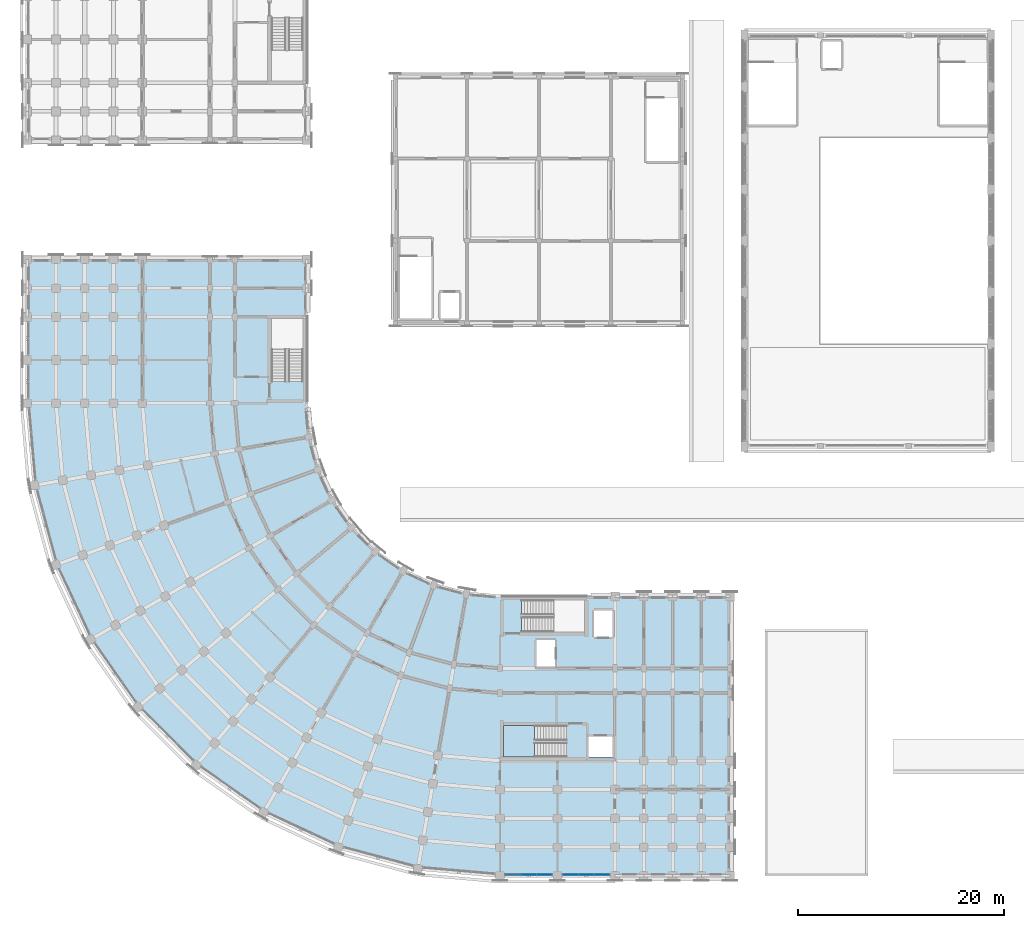
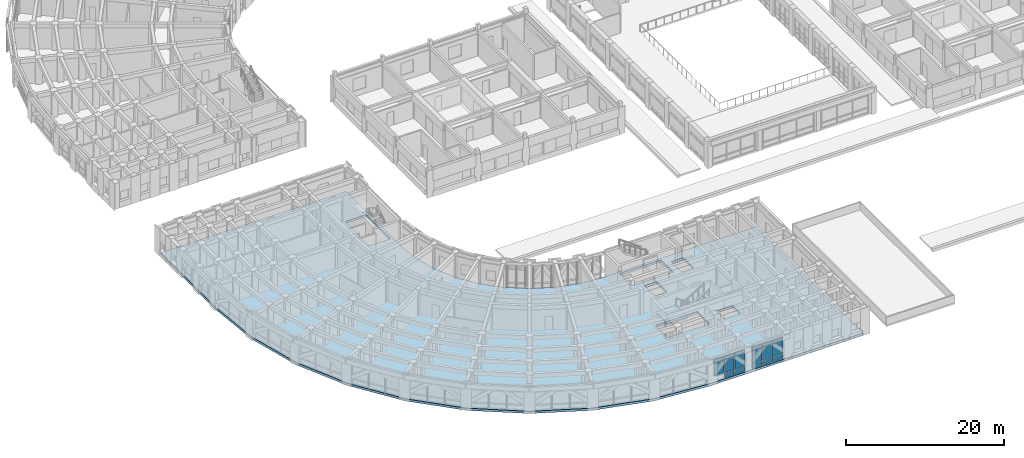
# One storey, part 42 of 97: 17 plates, 2 slabs, 3 elements without a shape of their own.
"""IFC4 building model written with IfcOpenShell, lengths in metres."""

from ifc_helpers import new_model, si_unit, direction, frame, origin, origin_2d, place, context, subcontext, project, spatial, polyline, rectangle, outline, extrude, material, layer, layer_set, type_object, element, aggregate, save


model = new_model("IFC4")

# Units and contexts
model_context = context("Model", 3, precision=1e-05, world=origin(), true_north=direction((0.0, 1.0)))
body_context = subcontext(model_context, "Body", "Model", "MODEL_VIEW")
ifc_project = project(units=[si_unit("LENGTHUNIT", "METRE"), si_unit("AREAUNIT", "SQUARE_METRE"), si_unit("VOLUMEUNIT", "CUBIC_METRE"), si_unit("PLANEANGLEUNIT", "RADIAN"), si_unit("MASSUNIT", "GRAM", prefix="KILO")], contexts=[model_context])

# Site, building, storey
site_placement = place(None, origin())
site = spatial("IfcSite", under=ifc_project, at=site_placement, CompositionType="ELEMENT")
building_placement = place(site_placement, origin())
building = spatial("IfcBuilding", under=site, at=building_placement, Name="Kiranvali Square Residences", CompositionType="ELEMENT")
storey_placement = place(building_placement, frame((0.0, 0.0, 4.5)))
storey = spatial("IfcBuildingStorey", under=building, at=storey_placement, Name="L01", CompositionType="ELEMENT", Elevation=4.5)

# Curtain wall, plates
ifc_material_1 = material(Name="Anodised bronze aluminium framing", Category="aluminium")
curtain_wall_type = type_object("IfcCurtainWallType", Name="CW-RET-SHOP", PredefinedType="USERDEFINED", material=ifc_material_1)
curtain_wall_1_placement = place(storey_placement, origin())
curtain_wall_1 = element("IfcCurtainWall", 1, at=curtain_wall_1_placement, inside=storey, type_object=curtain_wall_type, Name="L01 curtain wall CW-C-L01-A1-0", ObjectType="CURTAIN WALL", PredefinedType="USERDEFINED")
ifc_material_2 = material(Name="Solar-control low-e double glazing", Category="glass")
ifc_layer_1 = layer(ifc_material_2, 0.028076171875)
ifc_layer_set_1 = layer_set([ifc_layer_1], Name="Solar-control low-e double glazing")
plate_type_1 = type_object("IfcPlateType", Name="PLT-CW-GLZ", PredefinedType="CURTAIN_PANEL", material=ifc_layer_set_1)
plate_1_placement = place(storey_placement, frame((49.486572265625, 2.320068359375, 0.889892578125), z_axis=(0.0, 0.0, 1.0), x_axis=(1.0, 0.0, 0.0)))
plate_1 = element("IfcPlate", 2, at=plate_1_placement, type_object=plate_type_1, Name="CW-C-L01-A1-0 glazed panel 1.2", PredefinedType="CURTAIN_PANEL", context=body_context, shape_type="SweptSolid", body=[
    extrude(rectangle(XDim=1.433349609375, YDim=0.028076171875, at=origin_2d()), origin(), (0.0, 0.0, 1.0), 2.0),
])
plate_2_placement = place(storey_placement, frame((49.486572265625, 2.320068359375, 2.97021484375), z_axis=(0.0, 0.0, 1.0), x_axis=(1.0, 0.0, 0.0)))
plate_2 = element("IfcPlate", 3, at=plate_2_placement, type_object=plate_type_1, Name="CW-C-L01-A1-0 glazed panel 1.3", PredefinedType="CURTAIN_PANEL", context=body_context, shape_type="SweptSolid", body=[
    extrude(rectangle(XDim=1.433349609375, YDim=0.028076171875, at=origin_2d()), origin(), (0.0, 0.0, 1.0), 0.429931640625),
])
plate_3_placement = place(storey_placement, frame((51.0, 2.320068359375, 0.889892578125), z_axis=(0.0, 0.0, 1.0), x_axis=(1.0, 0.0, 0.0)))
plate_3 = element("IfcPlate", 4, at=plate_3_placement, type_object=plate_type_1, Name="CW-C-L01-A1-0 glazed panel 2.2", PredefinedType="CURTAIN_PANEL", context=body_context, shape_type="SweptSolid", body=[
    extrude(rectangle(XDim=1.433349609375, YDim=0.028076171875, at=origin_2d()), origin(), (0.0, 0.0, 1.0), 2.0),
])
plate_4_placement = place(storey_placement, frame((51.0, 2.320068359375, 2.97021484375), z_axis=(0.0, 0.0, 1.0), x_axis=(1.0, 0.0, 0.0)))
plate_4 = element("IfcPlate", 5, at=plate_4_placement, type_object=plate_type_1, Name="CW-C-L01-A1-0 glazed panel 2.3", PredefinedType="CURTAIN_PANEL", context=body_context, shape_type="SweptSolid", body=[
    extrude(rectangle(XDim=1.433349609375, YDim=0.028076171875, at=origin_2d()), origin(), (0.0, 0.0, 1.0), 0.429931640625),
])
plate_5_placement = place(storey_placement, frame((52.513427734375, 2.320068359375, 0.889892578125), z_axis=(0.0, 0.0, 1.0), x_axis=(1.0, 0.0, 0.0)))
plate_5 = element("IfcPlate", 6, at=plate_5_placement, type_object=plate_type_1, Name="CW-C-L01-A1-0 glazed panel 3.2", PredefinedType="CURTAIN_PANEL", context=body_context, shape_type="SweptSolid", body=[
    extrude(rectangle(XDim=1.433349609375, YDim=0.028076171875, at=origin_2d()), origin(), (0.0, 0.0, 1.0), 2.0),
])
plate_6_placement = place(storey_placement, frame((52.513427734375, 2.320068359375, 2.97021484375), z_axis=(0.0, 0.0, 1.0), x_axis=(1.0, 0.0, 0.0)))
plate_6 = element("IfcPlate", 7, at=plate_6_placement, type_object=plate_type_1, Name="CW-C-L01-A1-0 glazed panel 3.3", PredefinedType="CURTAIN_PANEL", context=body_context, shape_type="SweptSolid", body=[
    extrude(rectangle(XDim=1.433349609375, YDim=0.028076171875, at=origin_2d()), origin(), (0.0, 0.0, 1.0), 0.429931640625),
])

curtain_wall_2_placement = place(storey_placement, origin())
curtain_wall_2 = element("IfcCurtainWall", 8, at=curtain_wall_2_placement, inside=storey, type_object=curtain_wall_type, Name="L01 curtain wall CW-C-L01-A1-1", ObjectType="CURTAIN WALL", PredefinedType="USERDEFINED")
plate_7_placement = place(storey_placement, frame((55.086669921875, 2.320068359375, 0.889892578125), z_axis=(0.0, 0.0, 1.0), x_axis=(1.0, 0.0, 0.0)))
plate_7 = element("IfcPlate", 9, at=plate_7_placement, type_object=plate_type_1, Name="CW-C-L01-A1-1 glazed panel 1.2", PredefinedType="CURTAIN_PANEL", context=body_context, shape_type="SweptSolid", body=[
    extrude(rectangle(XDim=1.433349609375, YDim=0.028076171875, at=origin_2d()), origin(), (0.0, 0.0, 1.0), 2.0),
])
plate_8_placement = place(storey_placement, frame((55.086669921875, 2.320068359375, 2.97021484375), z_axis=(0.0, 0.0, 1.0), x_axis=(1.0, 0.0, 0.0)))
plate_8 = element("IfcPlate", 10, at=plate_8_placement, type_object=plate_type_1, Name="CW-C-L01-A1-1 glazed panel 1.3", PredefinedType="CURTAIN_PANEL", context=body_context, shape_type="SweptSolid", body=[
    extrude(rectangle(XDim=1.433349609375, YDim=0.028076171875, at=origin_2d()), origin(), (0.0, 0.0, 1.0), 0.429931640625),
])
plate_9_placement = place(storey_placement, frame((56.60009765625, 2.320068359375, 0.889892578125), z_axis=(0.0, 0.0, 1.0), x_axis=(1.0, 0.0, 0.0)))
plate_9 = element("IfcPlate", 11, at=plate_9_placement, type_object=plate_type_1, Name="CW-C-L01-A1-1 glazed panel 2.2", PredefinedType="CURTAIN_PANEL", context=body_context, shape_type="SweptSolid", body=[
    extrude(rectangle(XDim=1.433349609375, YDim=0.028076171875, at=origin_2d()), origin(), (0.0, 0.0, 1.0), 2.0),
])
plate_10_placement = place(storey_placement, frame((56.60009765625, 2.320068359375, 2.97021484375), z_axis=(0.0, 0.0, 1.0), x_axis=(1.0, 0.0, 0.0)))
plate_10 = element("IfcPlate", 12, at=plate_10_placement, type_object=plate_type_1, Name="CW-C-L01-A1-1 glazed panel 2.3", PredefinedType="CURTAIN_PANEL", context=body_context, shape_type="SweptSolid", body=[
    extrude(rectangle(XDim=1.433349609375, YDim=0.028076171875, at=origin_2d()), origin(), (0.0, 0.0, 1.0), 0.429931640625),
])
plate_11_placement = place(storey_placement, frame((58.11328125, 2.320068359375, 0.889892578125), z_axis=(0.0, 0.0, 1.0), x_axis=(1.0, 0.0, 0.0)))
plate_11 = element("IfcPlate", 13, at=plate_11_placement, type_object=plate_type_1, Name="CW-C-L01-A1-1 glazed panel 3.2", PredefinedType="CURTAIN_PANEL", context=body_context, shape_type="SweptSolid", body=[
    extrude(rectangle(XDim=1.433349609375, YDim=0.028076171875, at=origin_2d()), origin(), (0.0, 0.0, 1.0), 2.0),
])
plate_12_placement = place(storey_placement, frame((58.11328125, 2.320068359375, 2.97021484375), z_axis=(0.0, 0.0, 1.0), x_axis=(1.0, 0.0, 0.0)))
plate_12 = element("IfcPlate", 14, at=plate_12_placement, type_object=plate_type_1, Name="CW-C-L01-A1-1 glazed panel 3.3", PredefinedType="CURTAIN_PANEL", context=body_context, shape_type="SweptSolid", body=[
    extrude(rectangle(XDim=1.433349609375, YDim=0.028076171875, at=origin_2d()), origin(), (0.0, 0.0, 1.0), 0.429931640625),
])

# Plate
ifc_material_3 = material(Name="Honed Porbandar limestone ashlar facade cladding", Category="masonry")
ifc_layer_2 = layer(ifc_material_3, 0.02392578125)
ifc_layer_set_2 = layer_set([ifc_layer_2], Name="Honed Porbandar limestone ashlar facade cladding")
plate_type_2 = type_object("IfcPlateType", Name="PLT-CW-SPN", PredefinedType="SHEET", material=ifc_layer_set_2)
plate_13_placement = place(storey_placement, frame((51.0, 2.320068359375, 0.080078125), z_axis=(0.0, 0.0, 1.0), x_axis=(1.0, 0.0, 0.0)))
plate_13 = element("IfcPlate", 15, at=plate_13_placement, type_object=plate_type_2, Name="CW-C-L01-A1-0 spandrel panel 2.1", PredefinedType="SHEET", context=body_context, shape_type="SweptSolid", body=[
    extrude(rectangle(XDim=1.433349609375, YDim=0.02392578125, at=origin_2d()), origin(), (0.0, 0.0, 1.0), 0.72998046875),
])

plate_14_placement = place(storey_placement, frame((52.513427734375, 2.320068359375, 0.080078125), z_axis=(0.0, 0.0, 1.0), x_axis=(1.0, 0.0, 0.0)))
plate_14 = element("IfcPlate", 16, at=plate_14_placement, type_object=plate_type_2, Name="CW-C-L01-A1-0 spandrel panel 3.1", PredefinedType="SHEET", context=body_context, shape_type="SweptSolid", body=[
    extrude(rectangle(XDim=1.433349609375, YDim=0.02392578125, at=origin_2d()), origin(), (0.0, 0.0, 1.0), 0.72998046875),
])

aggregate(curtain_wall_1, [plate_1, plate_2, plate_13, plate_3, plate_4, plate_14, plate_5, plate_6])

plate_15_placement = place(storey_placement, frame((55.086669921875, 2.320068359375, 0.080078125), z_axis=(0.0, 0.0, 1.0), x_axis=(1.0, 0.0, 0.0)))
plate_15 = element("IfcPlate", 17, at=plate_15_placement, type_object=plate_type_2, Name="CW-C-L01-A1-1 spandrel panel 1.1", PredefinedType="SHEET", context=body_context, shape_type="SweptSolid", body=[
    extrude(rectangle(XDim=1.433349609375, YDim=0.02392578125, at=origin_2d()), origin(), (0.0, 0.0, 1.0), 0.72998046875),
])

plate_16_placement = place(storey_placement, frame((56.60009765625, 2.320068359375, 0.080078125), z_axis=(0.0, 0.0, 1.0), x_axis=(1.0, 0.0, 0.0)))
plate_16 = element("IfcPlate", 18, at=plate_16_placement, type_object=plate_type_2, Name="CW-C-L01-A1-1 spandrel panel 2.1", PredefinedType="SHEET", context=body_context, shape_type="SweptSolid", body=[
    extrude(rectangle(XDim=1.433349609375, YDim=0.02392578125, at=origin_2d()), origin(), (0.0, 0.0, 1.0), 0.72998046875),
])

plate_17_placement = place(storey_placement, frame((58.11328125, 2.320068359375, 0.080078125), z_axis=(0.0, 0.0, 1.0), x_axis=(1.0, 0.0, 0.0)))
plate_17 = element("IfcPlate", 19, at=plate_17_placement, type_object=plate_type_2, Name="CW-C-L01-A1-1 spandrel panel 3.1", PredefinedType="SHEET", context=body_context, shape_type="SweptSolid", body=[
    extrude(rectangle(XDim=1.433349609375, YDim=0.02392578125, at=origin_2d()), origin(), (0.0, 0.0, 1.0), 0.72998046875),
])

aggregate(curtain_wall_2, [plate_15, plate_7, plate_8, plate_16, plate_9, plate_10, plate_17, plate_11, plate_12])

# Stair, slab
ifc_material_4 = material(Name="Concrete M35 (35 MPa)", Category="concrete")
stair_type = type_object("IfcStairType", Name="ST-CORE-1700", PredefinedType="HALF_TURN_STAIR", material=ifc_material_4)
stair_placement = place(storey_placement, origin())
stair = element("IfcStair", 20, at=stair_placement, inside=storey, type_object=stair_type, Name="L01 Block C Firefighting Exit Stair 1", PredefinedType="HALF_TURN_STAIR")
ifc_layer_3 = layer(ifc_material_4, 0.199951171875)
ifc_layer_set_3 = layer_set([ifc_layer_3], Name="Concrete M35 (35 MPa)")
slab_type_1 = type_object("IfcSlabType", Name="SLB-LND-200", PredefinedType="LANDING", material=ifc_layer_set_3)
slab_1_placement = place(storey_placement, frame((0.0, 0.0, 1.89990234375)))
slab_1 = element("IfcSlab", 21, at=slab_1_placement, type_object=slab_type_1, Name="ST-C1 landing 1", PredefinedType="LANDING", context=body_context, shape_type="SweptSolid", body=[
    extrude(outline(polyline([(51.56494140625, 16.85009765625), (48.550048828125, 16.85009765625), (48.550048828125, 13.75), (51.56494140625, 13.75), (51.56494140625, 16.85009765625)])), origin(), (0.0, 0.0, 1.0), 0.2001953125),
])
aggregate(stair, [slab_1])

# Slab
ifc_material_5 = material(Name="Concrete M45 (45 MPa)", Category="concrete")
ifc_layer_4 = layer(ifc_material_5, 0.35009765625)
ifc_layer_set_4 = layer_set([ifc_layer_4], Name="Concrete M45 (45 MPa)")
slab_type_2 = type_object("IfcSlabType", Name="SLB-TRF-350", PredefinedType="FLOOR", material=ifc_layer_set_4)
slab_2_placement = place(storey_placement, frame((0.0, 0.0, -0.35009765625)))
element("IfcSlab", 22, at=slab_2_placement, inside=storey, type_object=slab_type_2, Name="Block C L01 structural floor slab", PredefinedType="FLOOR", context=body_context, shape_type="SweptSolid", body=[
    extrude(outline(polyline([(48.199951171875, 29.39990234375), (44.935302734375, 29.685546875), (41.77001953125, 30.53369140625), (38.800048828125, 31.918701171875), (36.115478515625, 33.79833984375), (33.79833984375, 36.115478515625), (31.918701171875, 38.800048828125), (30.53369140625, 41.77001953125), (29.685546875, 44.935302734375), (29.39990234375, 48.199951171875), (29.39990234375, 62.199951171875), (2.199951171875, 62.199951171875), (2.199951171875, 48.199951171875), (2.89892578125, 40.212158203125), (4.97412109375, 32.467041015625), (8.36279296875, 25.199951171875), (12.9619140625, 18.6318359375), (18.6318359375, 12.9619140625), (25.199951171875, 8.36279296875), (32.467041015625, 4.97412109375), (40.212158203125, 2.89892578125), (48.199951171875, 2.199951171875), (70.60009765625, 2.199951171875), (70.60009765625, 29.39990234375), (48.199951171875, 29.39990234375)]), holes=[polyline([(56.800048828125, 13.75), (59.25, 13.75), (59.25, 15.75), (56.800048828125, 15.75), (56.800048828125, 13.75)]), polyline([(57.35009765625, 25.449951171875), (59.14990234375, 25.449951171875), (59.14990234375, 28.050048828125), (57.35009765625, 28.050048828125), (57.35009765625, 25.449951171875)]), polyline([(51.75, 22.550048828125), (53.550048828125, 22.550048828125), (53.550048828125, 25.14990234375), (51.75, 25.14990234375), (51.75, 22.550048828125)]), polyline([(54.699951171875, 16.85009765625), (48.550048828125, 16.85009765625), (48.550048828125, 13.75), (54.699951171875, 13.75), (54.699951171875, 16.85009765625)]), polyline([(50.300048828125, 25.949951171875), (56.449951171875, 25.949951171875), (56.449951171875, 29.050048828125), (50.300048828125, 29.050048828125), (50.300048828125, 25.949951171875)]), polyline([(29.050048828125, 50.300048828125), (29.050048828125, 56.449951171875), (25.949951171875, 56.449951171875), (25.949951171875, 50.300048828125), (29.050048828125, 50.300048828125)])]), origin(), (0.0, 0.0, 1.0), 0.35009765625),
])

save(model, "model.ifc")
